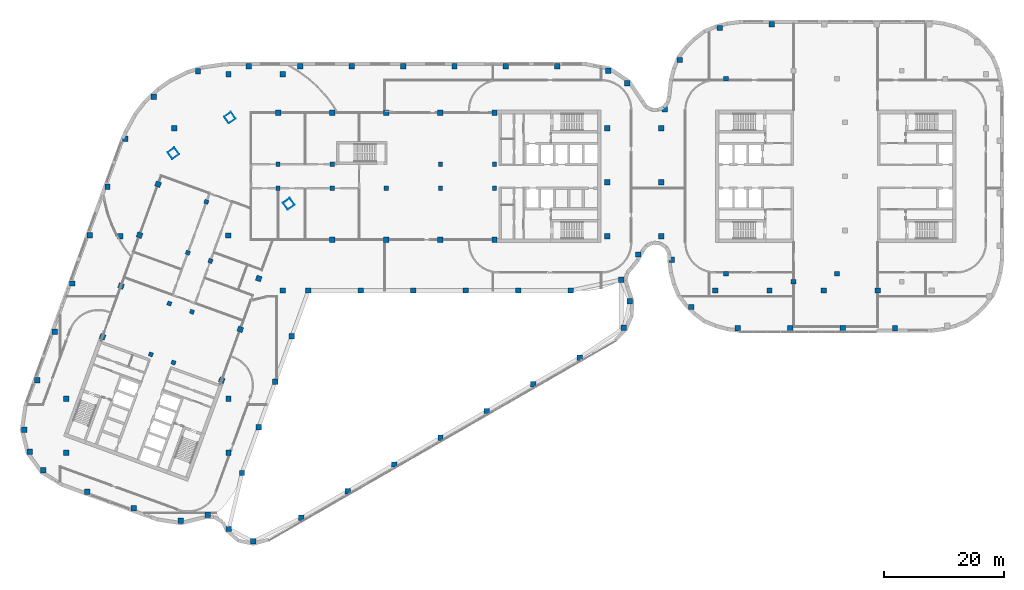
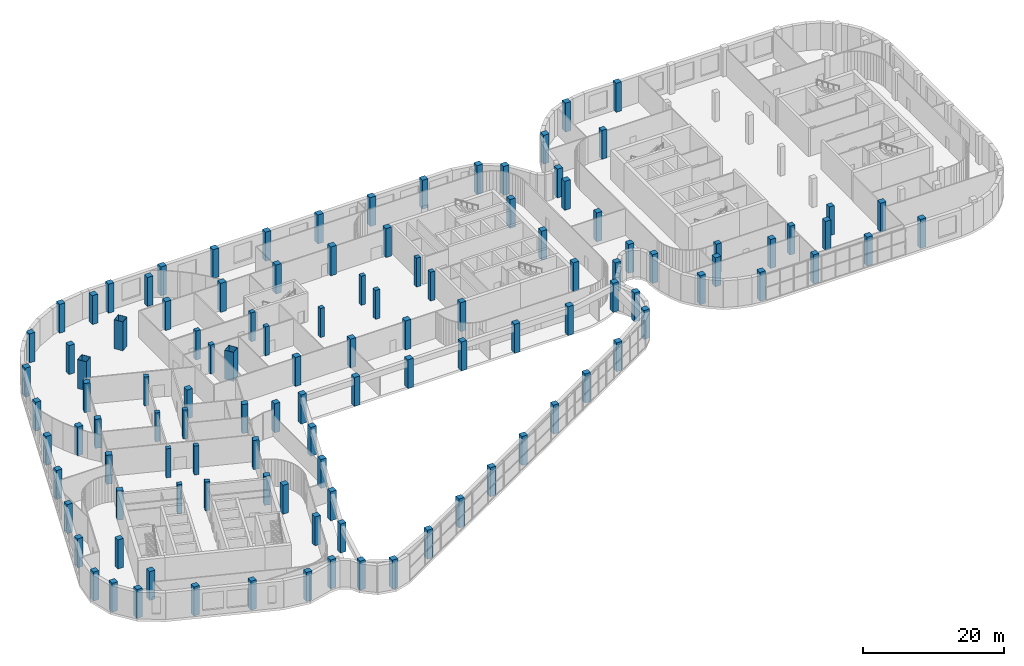
# One storey, part 1 of 25: 116 columns.
"""IFC4 building model written with IfcOpenShell, lengths in metres."""

from ifc_helpers import new_model, si_unit, direction, frame, origin, origin_2d, place, context, subcontext, project, spatial, rectangle, hollow_rectangle, extrude, material, material_profile, profile_set, type_object, element, save


model = new_model("IFC4")

# Units and contexts
model_context = context("Model", 3, precision=1e-05, world=origin(), true_north=direction((0.0, 1.0)))
body_context = subcontext(model_context, "Body", "Model", "MODEL_VIEW")
ifc_project = project(units=[si_unit("LENGTHUNIT", "METRE"), si_unit("AREAUNIT", "SQUARE_METRE"), si_unit("VOLUMEUNIT", "CUBIC_METRE"), si_unit("PLANEANGLEUNIT", "RADIAN"), si_unit("MASSUNIT", "GRAM", prefix="KILO")], contexts=[model_context])

# Site, building, storey
site_placement = place(None, origin())
site = spatial("IfcSite", under=ifc_project, at=site_placement, CompositionType="ELEMENT")
building_placement = place(site_placement, origin())
building = spatial("IfcBuilding", under=site, at=building_placement, Name="Skarvind Civic Tower", CompositionType="ELEMENT")
storey_placement = place(building_placement, frame((0.0, 0.0, 7.5)))
storey = spatial("IfcBuildingStorey", under=building, at=storey_placement, Name="L01", CompositionType="ELEMENT", Elevation=7.5)

# Columns
ifc_material_1 = material(Name="Concrete C60", Category="concrete")
ifc_material_profile_1 = material_profile(ifc_material_1, rectangle(XDim=0.699951171875, YDim=0.699951171875, at=origin_2d()), Name="RC-700x700")
ifc_profile_set_1 = profile_set([ifc_material_profile_1], Name="Concrete C60")
column_type_1 = type_object("IfcColumnType", Name="Column RC-700x700 C60", PredefinedType="COLUMN", material=ifc_profile_set_1)
for number, where, z_axis, x_axis, name in (
    (1, (54.25, 130.0, 0.0), (0.0, 0.0, 1.0), (1.0, 0.0, 0.0), "Column wing 1 north inner 02 L01"),
    (2, (63.25, 130.0, 0.0), (0.0, 0.0, 1.0), (1.0, 0.0, 0.0), "Column wing 1 north inner 03 L01"),
    (3, (81.25, 130.0, 0.0), (0.0, 0.0, 1.0), (1.0, 0.0, 0.0), "Column wing 1 north inner 05 L01"),
    (4, (90.25, 130.0, 0.0), (0.0, 0.0, 1.0), (1.0, 0.0, 0.0), "Column wing 1 north inner 06 L01"),
    (5, (54.25, 126.0, 0.0), (0.0, 0.0, 1.0), (1.0, 0.0, 0.0), "Column wing 1 south inner 02 L01"),
    (6, (63.25, 126.0, 0.0), (0.0, 0.0, 1.0), (1.0, 0.0, 0.0), "Column wing 1 south inner 03 L01"),
    (7, (72.25, 126.0, 0.0), (0.0, 0.0, 1.0), (1.0, 0.0, 0.0), "Column wing 1 south inner 04 L01"),
    (8, (81.25, 126.0, 0.0), (0.0, 0.0, 1.0), (1.0, 0.0, 0.0), "Column wing 1 south inner 05 L01"),
    (9, (90.25, 126.0, 0.0), (0.0, 0.0, 1.0), (1.0, 0.0, 0.0), "Column wing 1 south inner 06 L01"),
    (10, (43.005615234375, 113.92529296875, 0.0), (0.0, 0.0, 1.0), (-0.342020143326, -0.939692620786, 0.0), "Column wing 2 left inner 02 L01"),
    (11, (39.927490234375, 105.468017578125, 0.0), (0.0, 0.0, 1.0), (-0.342020143326, -0.939692620786, 0.0), "Column wing 2 left inner 03 L01"),
    (12, (36.84912109375, 97.010986328125, 0.0), (0.0, 0.0, 1.0), (-0.342020143326, -0.939692620786, 0.0), "Column wing 2 left inner 04 L01"),
    (13, (42.324951171875, 123.750732421875, 0.0), (0.0, 0.0, 1.0), (-0.342020143326, -0.939692620786, 0.0), "Column wing 2 right inner 01 L01"),
    (14, (39.246826171875, 115.29345703125, 0.0), (0.0, 0.0, 1.0), (-0.342020143326, -0.939692620786, 0.0), "Column wing 2 right inner 02 L01"),
    (15, (36.168701171875, 106.836181640625, 0.0), (0.0, 0.0, 1.0), (-0.342020143326, -0.939692620786, 0.0), "Column wing 2 right inner 03 L01"),
    (16, (33.090576171875, 98.37890625, 0.0), (0.0, 0.0, 1.0), (-0.342020143326, -0.939692620786, 0.0), "Column wing 2 right inner 04 L01"),
):
    element("IfcColumn", number, at=place(storey_placement, frame(where, z_axis=z_axis, x_axis=x_axis)), inside=storey, type_object=column_type_1, Name=name, PredefinedType="COLUMN", context=body_context, shape_type="SweptSolid", body=[
        extrude(rectangle(XDim=0.699951171875, YDim=0.699951171875, at=origin_2d()), origin(), (0.0, 0.0, 1.0), 5.0),
    ])
ifc_material_profile_2 = material_profile(ifc_material_1, rectangle(XDim=0.800048828125, YDim=0.800048828125, at=origin_2d()), Name="RC-800x800")
ifc_profile_set_2 = profile_set([ifc_material_profile_2], Name="Concrete C60")
column_type_2 = type_object("IfcColumnType", Name="Column RC-800x800 C60", PredefinedType="COLUMN", material=ifc_profile_set_2)
for number, where, z_axis, x_axis, name in (
    (17, (128.777099609375, 144.222900390625, 0.0), (0.0, 0.0, 1.0), (1.0, 0.0, 0.0), "Column second tower north-west corner L01"),
    (18, (128.777099609375, 111.777099609375, 0.0), (0.0, 0.0, 1.0), (1.0, 0.0, 0.0), "Column second tower south-west corner L01"),
    (19, (140.0, 110.449951171875, 0.0), (0.0, 0.0, 1.0), (1.0, 0.0, 0.0), "Column second tower south perimeter 02 L01"),
    (20, (147.222900390625, 111.777099609375, 0.0), (0.0, 0.0, 1.0), (1.0, 0.0, 0.0), "Column second tower south perimeter 03 L01"),
):
    element("IfcColumn", number, at=place(storey_placement, frame(where, z_axis=z_axis, x_axis=x_axis)), inside=storey, type_object=column_type_2, Name=name, PredefinedType="COLUMN", context=body_context, shape_type="SweptSolid", body=[
        extrude(rectangle(XDim=0.800048828125, YDim=0.800048828125, at=origin_2d()), origin(), (0.0, 0.0, 1.0), 5.0),
    ])
ifc_material_profile_3 = material_profile(ifc_material_1, rectangle(XDim=0.89990234375, YDim=0.89990234375, at=origin_2d()), Name="RC-900x900")
ifc_profile_set_3 = profile_set([ifc_material_profile_3], Name="Concrete C60")
column_type_3 = type_object("IfcColumnType", Name="Column RC-900x900 C60", PredefinedType="COLUMN", material=ifc_profile_set_3)
for number, where, z_axis, x_axis, name in (
    (21, (127.0, 109.0, 0.0), (0.0, 0.0, 1.0), (1.0, 0.0, 0.0), "Column podium grid 100 L01"),
    (22, (136.0, 109.0, 0.0), (0.0, 0.0, 1.0), (1.0, 0.0, 0.0), "Column podium grid 101 L01"),
    (23, (145.0, 109.0, 0.0), (0.0, 0.0, 1.0), (1.0, 0.0, 0.0), "Column podium grid 102 L01"),
    (24, (154.0, 109.0, 0.0), (0.0, 0.0, 1.0), (1.0, 0.0, 0.0), "Column podium grid 103 L01"),
    (25, (19.0, 82.0, 0.0), (0.0, 0.0, 1.0), (1.0, 0.0, 0.0), "Column podium grid 68 L01"),
    (26, (19.0, 91.0, 0.0), (0.0, 0.0, 1.0), (1.0, 0.0, 0.0), "Column podium grid 69 L01"),
    (27, (28.0, 118.0, 0.0), (0.0, 0.0, 1.0), (1.0, 0.0, 0.0), "Column podium grid 70 L01"),
    (28, (37.0, 136.0, 0.0), (0.0, 0.0, 1.0), (1.0, 0.0, 0.0), "Column podium grid 71 L01"),
    (29, (46.0, 82.0, 0.0), (0.0, 0.0, 1.0), (1.0, 0.0, 0.0), "Column podium grid 73 L01"),
    (30, (46.0, 91.0, 0.0), (0.0, 0.0, 1.0), (1.0, 0.0, 0.0), "Column podium grid 74 L01"),
    (31, (46.0, 145.0, 0.0), (0.0, 0.0, 1.0), (1.0, 0.0, 0.0), "Column podium grid 75 L01"),
    (32, (55.0, 109.0, 0.0), (0.0, 0.0, 1.0), (1.0, 0.0, 0.0), "Column podium grid 79 L01"),
    (33, (55.0, 145.0, 0.0), (0.0, 0.0, 1.0), (1.0, 0.0, 0.0), "Column podium grid 80 L01"),
    (34, (109.0, 118.0, 0.0), (0.0, 0.0, 1.0), (1.0, 0.0, 0.0), "Column podium grid 94 L01"),
    (35, (109.0, 127.0, 0.0), (0.0, 0.0, 1.0), (1.0, 0.0, 0.0), "Column podium grid 95 L01"),
    (36, (109.0, 136.0, 0.0), (0.0, 0.0, 1.0), (1.0, 0.0, 0.0), "Column podium grid 96 L01"),
    (37, (118.0, 118.0, 0.0), (0.0, 0.0, 1.0), (1.0, 0.0, 0.0), "Column podium grid 97 L01"),
    (38, (118.0, 127.0, 0.0), (0.0, 0.0, 1.0), (1.0, 0.0, 0.0), "Column podium grid 98 L01"),
    (39, (118.0, 136.0, 0.0), (0.0, 0.0, 1.0), (1.0, 0.0, 0.0), "Column podium grid 99 L01"),
    (40, (50.135498046875, 67.277099609375, 0.0), (0.0, 0.0, 1.0), (1.0, 0.0, 0.0), "Column podium edge 01 L01"),
    (41, (46.0517578125, 69.341796875, 0.0), (0.0, 0.0, 1.0), (1.0, 0.0, 0.0), "Column podium edge 02 L01"),
    (42, (42.575927734375, 71.690673828125, 0.0), (0.0, 0.0, 1.0), (1.0, 0.0, 0.0), "Column podium edge 03 L01"),
    (43, (38.081787109375, 70.70361328125, 0.0), (0.0, 0.0, 1.0), (1.0, 0.0, 0.0), "Column podium edge 04 L01"),
    (44, (30.215087890625, 72.767822265625, 0.0), (0.0, 0.0, 1.0), (1.0, 0.0, 0.0), "Column podium edge 05 L01"),
    (45, (22.53515625, 75.56298828125, 0.0), (0.0, 0.0, 1.0), (1.0, 0.0, 0.0), "Column podium edge 06 L01"),
    (46, (15.204833984375, 79.07763671875, 0.0), (0.0, 0.0, 1.0), (1.0, 0.0, 0.0), "Column podium edge 07 L01"),
    (47, (12.957763671875, 82.1640625, 0.0), (0.0, 0.0, 1.0), (1.0, 0.0, 0.0), "Column podium edge 08 L01"),
    (48, (12.037841796875, 85.869384765625, 0.0), (0.0, 0.0, 1.0), (1.0, 0.0, 0.0), "Column podium edge 09 L01"),
    (49, (14.1865234375, 94.0986328125, 0.0), (0.0, 0.0, 1.0), (1.0, 0.0, 0.0), "Column podium edge 10 L01"),
    (50, (17.11083984375, 102.133056640625, 0.0), (0.0, 0.0, 1.0), (1.0, 0.0, 0.0), "Column podium edge 11 L01"),
    (51, (20.03515625, 110.167724609375, 0.0), (0.0, 0.0, 1.0), (1.0, 0.0, 0.0), "Column podium edge 12 L01"),
    (52, (22.95947265625, 118.2021484375, 0.0), (0.0, 0.0, 1.0), (1.0, 0.0, 0.0), "Column podium edge 13 L01"),
    (53, (25.8837890625, 126.236572265625, 0.0), (0.0, 0.0, 1.0), (1.0, 0.0, 0.0), "Column podium edge 14 L01"),
    (54, (28.818603515625, 134.266845703125, 0.0), (0.0, 0.0, 1.0), (1.0, 0.0, 0.0), "Column podium edge 15 L01"),
    (55, (33.59375, 141.267822265625, 0.0), (0.0, 0.0, 1.0), (1.0, 0.0, 0.0), "Column podium edge 16 L01"),
    (56, (40.927001953125, 145.478515625, 0.0), (0.0, 0.0, 1.0), (1.0, 0.0, 0.0), "Column podium edge 17 L01"),
    (57, (49.399658203125, 146.300048828125, 0.0), (0.0, 0.0, 1.0), (1.0, 0.0, 0.0), "Column podium edge 18 L01"),
    (58, (57.949951171875, 146.300048828125, 0.0), (0.0, 0.0, 1.0), (1.0, 0.0, 0.0), "Column podium edge 19 L01"),
    (59, (66.5, 146.300048828125, 0.0), (0.0, 0.0, 1.0), (1.0, 0.0, 0.0), "Column podium edge 20 L01"),
    (60, (75.050048828125, 146.300048828125, 0.0), (0.0, 0.0, 1.0), (1.0, 0.0, 0.0), "Column podium edge 21 L01"),
    (61, (83.600341796875, 146.300048828125, 0.0), (0.0, 0.0, 1.0), (1.0, 0.0, 0.0), "Column podium edge 22 L01"),
    (62, (92.150390625, 146.300048828125, 0.0), (0.0, 0.0, 1.0), (1.0, 0.0, 0.0), "Column podium edge 23 L01"),
    (63, (100.700439453125, 146.300048828125, 0.0), (0.0, 0.0, 1.0), (1.0, 0.0, 0.0), "Column podium edge 24 L01"),
    (64, (109.179931640625, 145.566650390625, 0.0), (0.0, 0.0, 1.0), (1.0, 0.0, 0.0), "Column podium edge 25 L01"),
    (65, (112.329345703125, 143.49560546875, 0.0), (0.0, 0.0, 1.0), (1.0, 0.0, 0.0), "Column podium edge 26 L01"),
    (66, (118.597900390625, 139.153076171875, 0.0), (0.0, 0.0, 1.0), (1.0, 0.0, 0.0), "Column podium edge 27 L01"),
    (67, (121.09521484375, 147.3408203125, 0.0), (0.0, 0.0, 1.0), (1.0, 0.0, 0.0), "Column podium edge 28 L01"),
    (68, (127.706787109375, 152.675048828125, 0.0), (0.0, 0.0, 1.0), (1.0, 0.0, 0.0), "Column podium edge 29 L01"),
    (69, (136.371826171875, 153.300048828125, 0.0), (0.0, 0.0, 1.0), (1.0, 0.0, 0.0), "Column podium edge 30 L01"),
    (70, (156.875, 102.699951171875, 0.0), (0.0, 0.0, 1.0), (1.0, 0.0, 0.0), "Column podium edge 41 L01"),
    (71, (148.1455078125, 102.699951171875, 0.0), (0.0, 0.0, 1.0), (1.0, 0.0, 0.0), "Column podium edge 42 L01"),
    (72, (139.415771484375, 102.699951171875, 0.0), (0.0, 0.0, 1.0), (1.0, 0.0, 0.0), "Column podium edge 43 L01"),
    (73, (130.689453125, 102.749755859375, 0.0), (0.0, 0.0, 1.0), (1.0, 0.0, 0.0), "Column podium edge 44 L01"),
    (74, (122.94677734375, 106.265380859375, 0.0), (0.0, 0.0, 1.0), (1.0, 0.0, 0.0), "Column podium edge 45 L01"),
    (75, (119.70458984375, 114.13671875, 0.0), (0.0, 0.0, 1.0), (1.0, 0.0, 0.0), "Column podium edge 46 L01"),
    (76, (114.146240234375, 114.994384765625, 0.0), (0.0, 0.0, 1.0), (1.0, 0.0, 0.0), "Column podium edge 47 L01"),
    (77, (112.776611328125, 107.21484375, 0.0), (0.0, 0.0, 1.0), (1.0, 0.0, 0.0), "Column podium edge 48 L01"),
    (78, (111.77294921875, 102.8076171875, 0.0), (0.0, 0.0, 1.0), (1.0, 0.0, 0.0), "Column podium edge 49 L01"),
    (79, (104.4453125, 97.850830078125, 0.0), (0.0, 0.0, 1.0), (1.0, 0.0, 0.0), "Column podium edge 50 L01"),
    (80, (96.719970703125, 93.404541015625, 0.0), (0.0, 0.0, 1.0), (1.0, 0.0, 0.0), "Column podium edge 51 L01"),
    (81, (88.994384765625, 88.958251953125, 0.0), (0.0, 0.0, 1.0), (1.0, 0.0, 0.0), "Column podium edge 52 L01"),
    (82, (81.26904296875, 84.511962890625, 0.0), (0.0, 0.0, 1.0), (1.0, 0.0, 0.0), "Column podium edge 53 L01"),
    (83, (73.543701171875, 80.065673828125, 0.0), (0.0, 0.0, 1.0), (1.0, 0.0, 0.0), "Column podium edge 54 L01"),
    (84, (65.818359375, 75.619384765625, 0.0), (0.0, 0.0, 1.0), (1.0, 0.0, 0.0), "Column podium edge 55 L01"),
    (85, (58.093017578125, 71.173095703125, 0.0), (0.0, 0.0, 1.0), (1.0, 0.0, 0.0), "Column podium edge 56 L01"),
    (86, (48.256591796875, 78.647705078125, 0.0), (0.0, 0.0, 1.0), (1.0, 0.0, 0.0), "Column podium edge 57 L01"),
    (87, (51.0185546875, 86.23583984375, 0.0), (0.0, 0.0, 1.0), (1.0, 0.0, 0.0), "Column podium edge 58 L01"),
    (88, (53.7802734375, 93.823974609375, 0.0), (0.0, 0.0, 1.0), (1.0, 0.0, 0.0), "Column podium edge 59 L01"),
    (89, (56.5419921875, 101.411865234375, 0.0), (0.0, 0.0, 1.0), (1.0, 0.0, 0.0), "Column podium edge 60 L01"),
    (90, (59.303955078125, 109.0, 0.0), (0.0, 0.0, 1.0), (1.0, 0.0, 0.0), "Column podium edge 61 L01"),
    (91, (68.033203125, 109.0, 0.0), (0.0, 0.0, 1.0), (1.0, 0.0, 0.0), "Column podium edge 62 L01"),
    (92, (76.762451171875, 109.0, 0.0), (0.0, 0.0, 1.0), (1.0, 0.0, 0.0), "Column podium edge 63 L01"),
    (93, (85.491455078125, 109.0, 0.0), (0.0, 0.0, 1.0), (1.0, 0.0, 0.0), "Column podium edge 64 L01"),
    (94, (94.220703125, 109.0, 0.0), (0.0, 0.0, 1.0), (1.0, 0.0, 0.0), "Column podium edge 65 L01"),
    (95, (102.949951171875, 109.0, 0.0), (0.0, 0.0, 1.0), (1.0, 0.0, 0.0), "Column podium edge 66 L01"),
    (96, (111.3330078125, 110.789794921875, 0.0), (0.0, 0.0, 1.0), (1.0, 0.0, 0.0), "Column podium edge 67 L01"),
):
    element("IfcColumn", number, at=place(storey_placement, frame(where, z_axis=z_axis, x_axis=x_axis)), inside=storey, type_object=column_type_3, Name=name, PredefinedType="COLUMN", context=body_context, shape_type="SweptSolid", body=[
        extrude(rectangle(XDim=0.89990234375, YDim=0.89990234375, at=origin_2d()), origin(), (0.0, 0.0, 1.0), 5.0),
    ])
ifc_material_2 = material(Name="Concrete C80", Category="concrete")
ifc_material_profile_4 = material_profile(ifc_material_2, rectangle(XDim=0.89990234375, YDim=0.89990234375, at=origin_2d()), Name="RC-900x900")
ifc_profile_set_4 = profile_set([ifc_material_profile_4], Name="Concrete C80")
column_type_4 = type_object("IfcColumnType", Name="Column RC-900x900 C80", PredefinedType="COLUMN", material=ifc_profile_set_4)
for number, where, z_axis, x_axis, name in (
    (97, (54.25, 138.550048828125, 0.0), (0.0, 0.0, 1.0), (1.0, 0.0, 0.0), "Column wing 1 north perimeter 02 L01"),
    (98, (63.25, 138.550048828125, 0.0), (0.0, 0.0, 1.0), (1.0, 0.0, 0.0), "Column wing 1 north perimeter 03 L01"),
    (99, (72.25, 138.550048828125, 0.0), (0.0, 0.0, 1.0), (1.0, 0.0, 0.0), "Column wing 1 north perimeter 04 L01"),
    (100, (81.25, 138.550048828125, 0.0), (0.0, 0.0, 1.0), (1.0, 0.0, 0.0), "Column wing 1 north perimeter 05 L01"),
    (101, (90.25, 138.550048828125, 0.0), (0.0, 0.0, 1.0), (1.0, 0.0, 0.0), "Column wing 1 north perimeter 06 L01"),
    (102, (45.95166015625, 118.151611328125, 0.0), (0.0, 0.0, 1.0), (1.0, 0.0, 0.0), "Column wing 1 south perimeter 01 L01"),
    (103, (63.25, 117.449951171875, 0.0), (0.0, 0.0, 1.0), (1.0, 0.0, 0.0), "Column wing 1 south perimeter 03 L01"),
    (104, (72.25, 117.449951171875, 0.0), (0.0, 0.0, 1.0), (1.0, 0.0, 0.0), "Column wing 1 south perimeter 04 L01"),
    (105, (81.25, 117.449951171875, 0.0), (0.0, 0.0, 1.0), (1.0, 0.0, 0.0), "Column wing 1 south perimeter 05 L01"),
    (106, (90.25, 117.449951171875, 0.0), (0.0, 0.0, 1.0), (1.0, 0.0, 0.0), "Column wing 1 south perimeter 06 L01"),
    (107, (51.0400390625, 111.0009765625, 0.0), (0.0, 0.0, 1.0), (-0.342020143326, -0.939692620786, 0.0), "Column wing 2 left perimeter 02 L01"),
    (108, (47.961669921875, 102.5439453125, 0.0), (0.0, 0.0, 1.0), (-0.342020143326, -0.939692620786, 0.0), "Column wing 2 left perimeter 03 L01"),
    (109, (44.883544921875, 94.086669921875, 0.0), (0.0, 0.0, 1.0), (-0.342020143326, -0.939692620786, 0.0), "Column wing 2 left perimeter 04 L01"),
    (110, (34.29052734375, 126.6748046875, 0.0), (0.0, 0.0, 1.0), (-0.342020143326, -0.939692620786, 0.0), "Column wing 2 right perimeter 01 L01"),
    (111, (31.21240234375, 118.2177734375, 0.0), (0.0, 0.0, 1.0), (-0.342020143326, -0.939692620786, 0.0), "Column wing 2 right perimeter 02 L01"),
    (112, (28.13427734375, 109.760498046875, 0.0), (0.0, 0.0, 1.0), (-0.342020143326, -0.939692620786, 0.0), "Column wing 2 right perimeter 03 L01"),
    (113, (25.05615234375, 101.30322265625, 0.0), (0.0, 0.0, 1.0), (-0.342020143326, -0.939692620786, 0.0), "Column wing 2 right perimeter 04 L01"),
):
    element("IfcColumn", number, at=place(storey_placement, frame(where, z_axis=z_axis, x_axis=x_axis)), inside=storey, type_object=column_type_4, Name=name, PredefinedType="COLUMN", context=body_context, shape_type="SweptSolid", body=[
        extrude(rectangle(XDim=0.89990234375, YDim=0.89990234375, at=origin_2d()), origin(), (0.0, 0.0, 1.0), 5.0),
    ])
ifc_material_3 = material(Name="Composite concrete-filled steel tube, Steel SM355 with Concrete C80", Category="concrete")
ifc_material_profile_5 = material_profile(ifc_material_3, hollow_rectangle(XDim=1.39990234375, YDim=1.39990234375, WallThickness=0.0400390625, at=origin_2d()), Name="BOX-1400x1400x40")
ifc_profile_set_5 = profile_set([ifc_material_profile_5], Name="Composite concrete-filled steel tube, Steel SM355 with Concrete C80")
column_type_5 = type_object("IfcColumnType", Name="Mega column BOX-1400x1400x40 filled C80", PredefinedType="COLUMN", material=ifc_profile_set_5)
for number, where, z_axis, x_axis, name in (
    (114, (36.845947265625, 131.837646484375, 0.0), (0.0, 0.0, 1.0), (0.573576436351, -0.819152044289, 0.0), "Mega column 1 L01"),
    (115, (46.2470703125, 137.762451171875, 0.0), (0.0, 0.0, 1.0), (0.573576436351, -0.819152044289, 0.0), "Mega column 2 L01"),
    (116, (56.0361328125, 123.43017578125, 0.0), (0.0, 0.0, 1.0), (0.573576436351, -0.819152044289, 0.0), "Mega column 4 L01"),
):
    element("IfcColumn", number, at=place(storey_placement, frame(where, z_axis=z_axis, x_axis=x_axis)), inside=storey, type_object=column_type_5, Name=name, PredefinedType="COLUMN", context=body_context, shape_type="SweptSolid", body=[
        extrude(hollow_rectangle(XDim=1.39990234375, YDim=1.39990234375, WallThickness=0.0400390625, at=origin_2d()), origin(), (0.0, 0.0, 1.0), 5.0),
    ])

save(model, "model.ifc")
